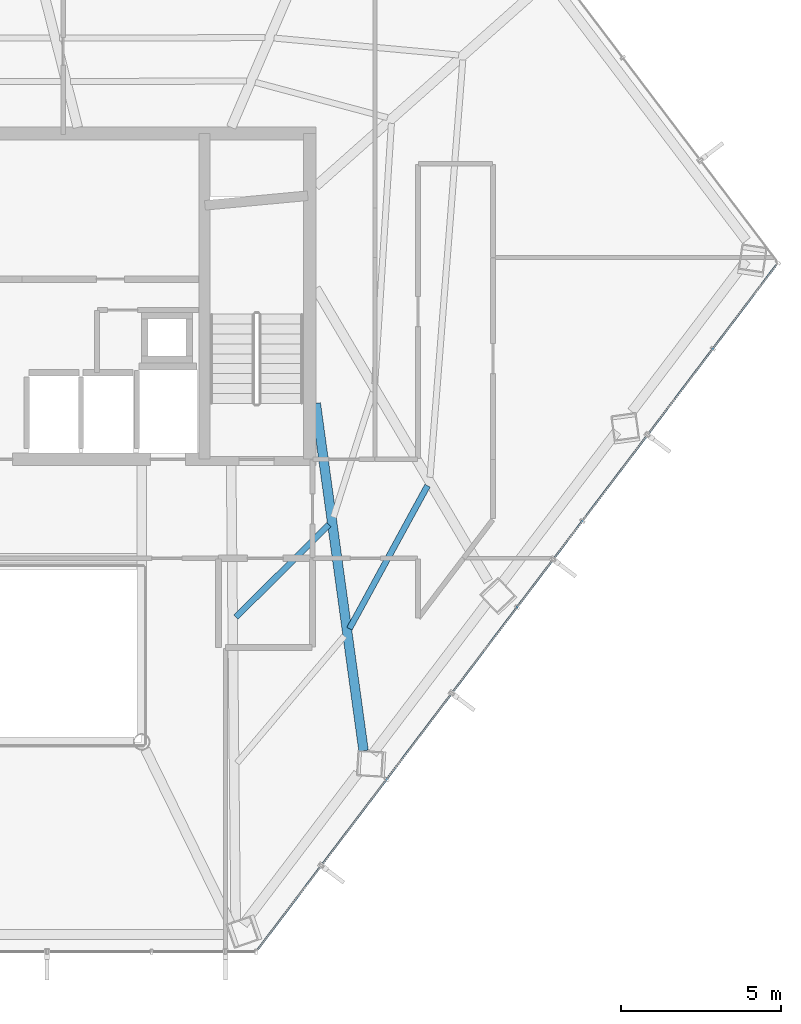
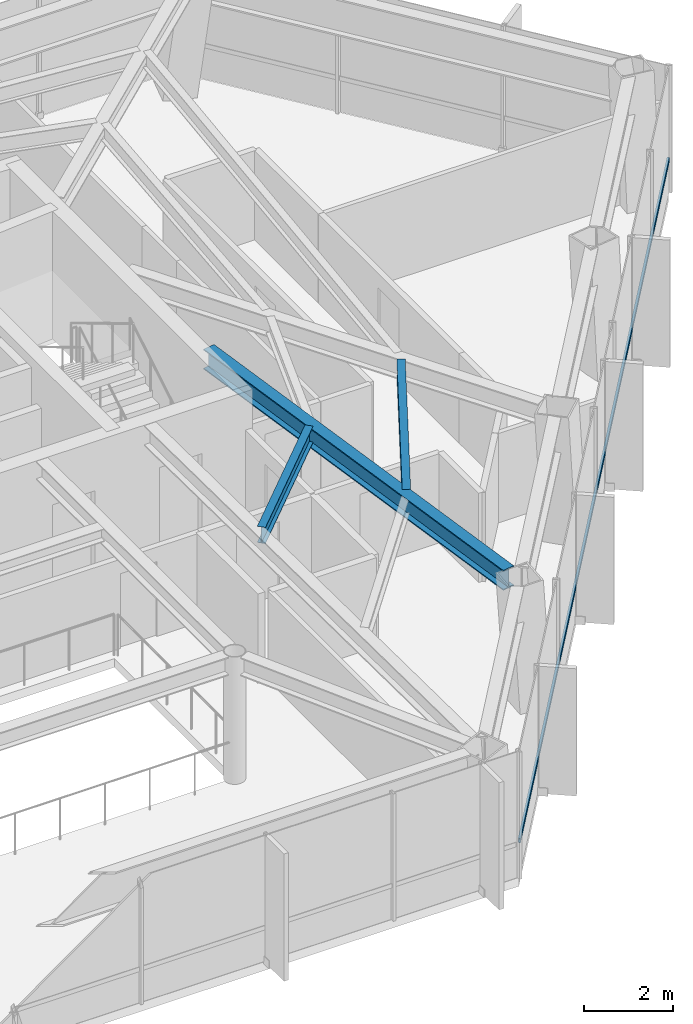
# One storey, part 18 of 28: 3 beams, 1 member, 1 element without a shape of its own.
"""IFC4 building model written with IfcOpenShell, lengths in metres."""

from ifc_helpers import new_model, si_unit, direction, frame, origin, origin_2d, place, context, subcontext, project, spatial, hollow_rectangle, i_section, extrude, material, layer, layer_set, material_profile, profile_set, type_object, element, aggregate, save


model = new_model("IFC4")

# Units and contexts
model_context = context("Model", 3, precision=1e-05, world=origin(), true_north=direction((0.0, 1.0)))
body_context = subcontext(model_context, "Body", "Model", "MODEL_VIEW")
ifc_project = project(units=[si_unit("LENGTHUNIT", "METRE"), si_unit("AREAUNIT", "SQUARE_METRE"), si_unit("VOLUMEUNIT", "CUBIC_METRE"), si_unit("PLANEANGLEUNIT", "RADIAN"), si_unit("MASSUNIT", "GRAM", prefix="KILO")], contexts=[model_context])

# Site, building, storey
site_placement = place(None, origin())
site = spatial("IfcSite", under=ifc_project, at=site_placement, CompositionType="ELEMENT")
building_placement = place(site_placement, origin())
building = spatial("IfcBuilding", under=site, at=building_placement, Name="Zarrinselat Tower", CompositionType="ELEMENT")
storey_placement = place(building_placement, frame((0.0, 0.0, 153.340087890625)))
storey = spatial("IfcBuildingStorey", under=building, at=storey_placement, Name="L37", CompositionType="ELEMENT", Elevation=153.340087890625)

# Beams
ifc_material_1 = material(Name="Steel S355J2", Category="steel")
ifc_material_profile_1 = material_profile(ifc_material_1, i_section(OverallWidth=0.300048828125, OverallDepth=0.550048828125, WebThickness=0.014892578125, FlangeThickness=0.029052734375, at=origin_2d()), Name="HEB 550")
ifc_profile_set_1 = profile_set([ifc_material_profile_1], Name="Steel S355J2")
beam_type_1 = type_object("IfcBeamType", Name="BM-HEB550", PredefinedType="BEAM", material=ifc_profile_set_1)
beam_1_placement = place(storey_placement, frame((48.449951171875, 35.0, 3.21484375), z_axis=(0.136307012182, -0.990666643443, 0.0), x_axis=(0.990666643443, 0.136307012182, 0.0)))
element("IfcBeam", 1, at=beam_1_placement, inside=storey, type_object=beam_type_1, Name="L37 Radial Primary Girder RG12", PredefinedType="BEAM", context=body_context, shape_type="SweptSolid", body=[
    extrude(i_section(OverallWidth=0.300048828125, OverallDepth=0.550048828125, WebThickness=0.014892578125, FlangeThickness=0.029052734375, at=origin_2d()), origin(), (0.0, 0.0, 1.0), 10.977783203125),
])
ifc_material_2 = material(Name="Steel S355J2", Category="steel")
ifc_material_profile_2 = material_profile(ifc_material_2, i_section(OverallWidth=0.18994140625, OverallDepth=0.449951171875, WebThickness=0.009521484375, FlangeThickness=0.0146484375, at=origin_2d()), Name="IPE 450")
ifc_profile_set_2 = profile_set([ifc_material_profile_2], Name="Steel S355J2")
beam_type_2 = type_object("IfcBeamType", Name="BM-IPE450", PredefinedType="JOIST", material=ifc_profile_set_2)
beam_2_placement = place(storey_placement, frame((45.947509765625, 28.302001953125, 3.264892578125), z_axis=(0.708382474709, 0.705828782018, 0.0), x_axis=(-0.705828782018, 0.708382474709, 0.0)))
element("IfcBeam", 2, at=beam_2_placement, inside=storey, type_object=beam_type_2, Name="L37 Composite Floor Joist 2-2", PredefinedType="JOIST", context=body_context, shape_type="SweptSolid", body=[
    extrude(i_section(OverallWidth=0.18994140625, OverallDepth=0.449951171875, WebThickness=0.009521484375, FlangeThickness=0.0146484375, at=origin_2d()), origin(), (0.0, 0.0, 1.0), 4.11083984375),
])
beam_3_placement = place(storey_placement, frame((49.504638671875, 27.9453125, 3.264892578125), z_axis=(0.479147231755, 0.877734544325, 0.0), x_axis=(-0.877734544325, 0.479147231755, 0.0)))
element("IfcBeam", 3, at=beam_3_placement, inside=storey, type_object=beam_type_2, Name="L37 Composite Floor Joist 3-1", PredefinedType="JOIST", context=body_context, shape_type="SweptSolid", body=[
    extrude(i_section(OverallWidth=0.18994140625, OverallDepth=0.449951171875, WebThickness=0.009521484375, FlangeThickness=0.0146484375, at=origin_2d()), origin(), (0.0, 0.0, 1.0), 5.100341796875),
])

# Curtain wall, member
ifc_material_3 = material(Name="Extruded Aluminium Alloy EN AW-6063 T6", Category="aluminium")
ifc_layer = layer(ifc_material_3, 0.175048828125)
ifc_layer_set = layer_set([ifc_layer], Name="Extruded Aluminium Alloy EN AW-6063 T6")
curtain_wall_type = type_object("IfcCurtainWallType", Name="CWS-HTL", PredefinedType="NOTDEFINED", material=ifc_layer_set)
curtain_wall_placement = place(storey_placement, origin())
curtain_wall = element("IfcCurtainWall", 4, at=curtain_wall_placement, inside=storey, type_object=curtain_wall_type, Name="L37 Unitised Curtain Wall CW-L37-E05", PredefinedType="NOTDEFINED")
ifc_material_4 = material(Name="Extruded Aluminium Alloy EN AW-6063 T6", Category="aluminium")
ifc_material_profile_3 = material_profile(ifc_material_4, hollow_rectangle(XDim=0.06005859375, YDim=0.1201171875, WallThickness=0.00390625, at=origin_2d()), Name="RHS 120x60x4")
ifc_profile_set_3 = profile_set([ifc_material_profile_3], Name="Extruded Aluminium Alloy EN AW-6063 T6")
member_type = type_object("IfcMemberType", Name="MEM-CW-TRN2", PredefinedType="USERDEFINED", material=ifc_profile_set_3)
member_placement = place(storey_placement, frame((46.634765625, 17.9033203125, 0.949951171875), z_axis=(0.603858911734, 0.797091221078, 0.0), x_axis=(-0.797091221078, 0.603858911734, 0.0)))
member = element("IfcMember", 5, at=member_placement, type_object=member_type, Name="CW-L37-E05 Transom 1", ObjectType="TRANSOM", PredefinedType="USERDEFINED", context=body_context, shape_type="SweptSolid", body=[
    extrude(hollow_rectangle(XDim=0.06005859375, YDim=0.1201171875, WallThickness=0.00390625, at=origin_2d()), origin(), (0.0, 0.0, 1.0), 26.8876953125),
])
aggregate(curtain_wall, [member])

save(model, "model.ifc")
